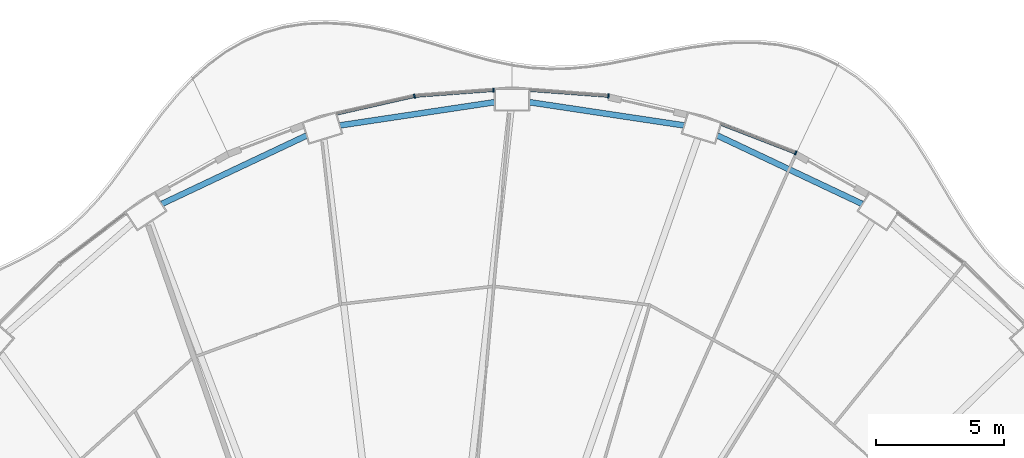
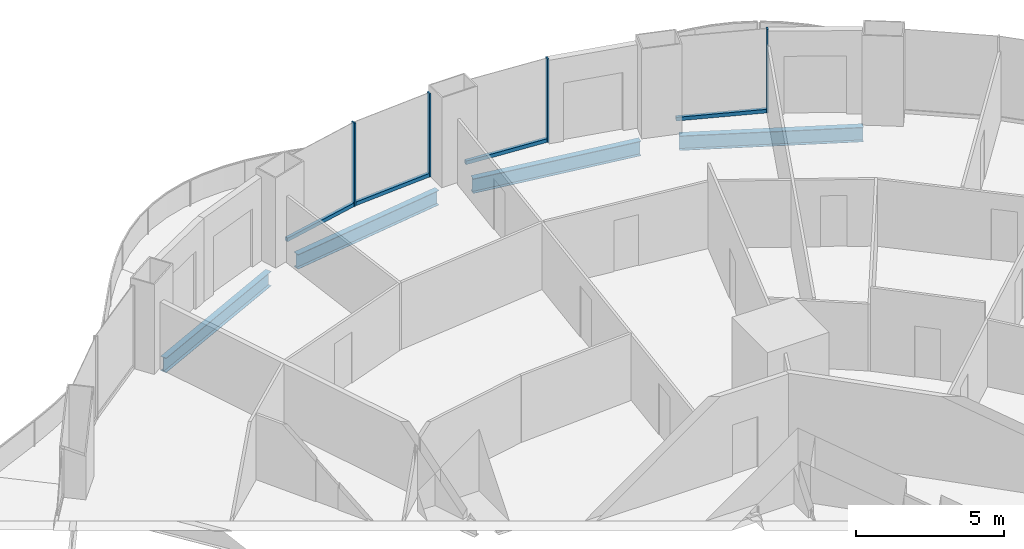
# One storey, part 11 of 23: 8 members, 4 beams, 4 elements without a shape of their own.
"""IFC4 building model written with IfcOpenShell, lengths in metres."""

from ifc_helpers import new_model, si_unit, direction, frame, origin, origin_2d, place, context, subcontext, project, spatial, rectangle, i_section, extrude, material, layer, layer_set, material_profile, profile_set, type_object, element, aggregate, save


model = new_model("IFC4")

# Units and contexts
model_context = context("Model", 3, precision=1e-05, world=origin(), true_north=direction((0.0, 1.0)))
body_context = subcontext(model_context, "Body", "Model", "MODEL_VIEW")
ifc_project = project(units=[si_unit("LENGTHUNIT", "METRE"), si_unit("AREAUNIT", "SQUARE_METRE"), si_unit("VOLUMEUNIT", "CUBIC_METRE"), si_unit("PLANEANGLEUNIT", "RADIAN"), si_unit("MASSUNIT", "GRAM", prefix="KILO")], contexts=[model_context])

# Site, building, storey
site_placement = place(None, origin())
site = spatial("IfcSite", under=ifc_project, at=site_placement, CompositionType="ELEMENT")
building_placement = place(site_placement, origin())
building = spatial("IfcBuilding", under=site, at=building_placement, Name="Nagisa Residences", CompositionType="ELEMENT")
storey_placement = place(building_placement, frame((0.0, 0.0, 56.60009765625)))
storey = spatial("IfcBuildingStorey", under=building, at=storey_placement, Name="L13", CompositionType="ELEMENT", Elevation=56.60009765625)

# Curtain wall, member
ifc_material_1 = material(Name="Concrete-coloured aluminium curtain wall system", Category="concrete")
ifc_layer = layer(ifc_material_1, 0.159912109375)
ifc_layer_set = layer_set([ifc_layer], Name="CW1 CURTAIN WALL")
curtain_wall_type = type_object("IfcCurtainWallType", Name="CW1 CURTAIN WALL", PredefinedType="NOTDEFINED", material=ifc_layer_set)
curtain_wall_1_placement = place(storey_placement, origin())
curtain_wall_1 = element("IfcCurtainWall", 1, at=curtain_wall_1_placement, inside=storey, type_object=curtain_wall_type, Name="cw:CW1:L13:09", PredefinedType="NOTDEFINED")
ifc_material_2 = material(Name="Concrete-coloured aluminium", Category="concrete")
ifc_material_profile_1 = material_profile(ifc_material_2, rectangle(XDim=0.159912109375, YDim=0.06005859375, at=origin_2d()), Name="CW1 MULLION 160x60")
ifc_profile_set_1 = profile_set([ifc_material_profile_1], Name="Concrete-coloured aluminium")
member_type_1 = type_object("IfcMemberType", Name="CW1 MULLION 160x60", PredefinedType="MULLION", material=ifc_profile_set_1)
member_1_placement = place(storey_placement, frame((14.64111328125, 30.42431640625, 0.0), z_axis=(0.0, 0.0, 1.0), x_axis=(-0.360327770268, -0.932825759707, 0.0)))
member_1 = element("IfcMember", 2, at=member_1_placement, type_object=member_type_1, Name="CW1 mullion", PredefinedType="MULLION", context=body_context, shape_type="SweptSolid", body=[
    extrude(rectangle(XDim=0.159912109375, YDim=0.06005859375, at=origin_2d()), origin(), (0.0, 0.0, 1.0), 3.43994140625),
])

curtain_wall_2_placement = place(storey_placement, origin())
curtain_wall_2 = element("IfcCurtainWall", 3, at=curtain_wall_2_placement, inside=storey, type_object=curtain_wall_type, Name="cw:CW1:L13:11", PredefinedType="NOTDEFINED")
member_2_placement = place(storey_placement, frame((7.349365234375, 32.64013671875, 0.0), z_axis=(0.0, 0.0, 1.0), x_axis=(-0.074377355493, -0.997230168512, 0.0)))
member_2 = element("IfcMember", 4, at=member_2_placement, type_object=member_type_1, Name="CW1 mullion", PredefinedType="MULLION", context=body_context, shape_type="SweptSolid", body=[
    extrude(rectangle(XDim=0.159912109375, YDim=0.06005859375, at=origin_2d()), origin(), (0.0, 0.0, 1.0), 3.43994140625),
])

curtain_wall_3_placement = place(storey_placement, origin())
curtain_wall_3 = element("IfcCurtainWall", 5, at=curtain_wall_3_placement, inside=storey, type_object=curtain_wall_type, Name="cw:CW1:L13:12", PredefinedType="NOTDEFINED")
member_3_placement = place(storey_placement, frame((2.8779296875, 32.865966796875, 0.0), z_axis=(0.0, 0.0, 1.0), x_axis=(0.074377355493, -0.997230168512, 0.0)))
member_3 = element("IfcMember", 6, at=member_3_placement, type_object=member_type_1, Name="CW1 mullion", PredefinedType="MULLION", context=body_context, shape_type="SweptSolid", body=[
    extrude(rectangle(XDim=0.159912109375, YDim=0.06005859375, at=origin_2d()), origin(), (0.0, 0.0, 1.0), 3.43994140625),
])

curtain_wall_4_placement = place(storey_placement, origin())
curtain_wall_4 = element("IfcCurtainWall", 7, at=curtain_wall_4_placement, inside=storey, type_object=curtain_wall_type, Name="cw:CW1:L13:13", PredefinedType="NOTDEFINED")
member_4_placement = place(storey_placement, frame((-0.19677734375, 32.633056640625, 0.0), z_axis=(0.0, 0.0, 1.0), x_axis=(0.2207639201, -0.975327274089, 0.0)))
member_4 = element("IfcMember", 8, at=member_4_placement, type_object=member_type_1, Name="CW1 mullion", PredefinedType="MULLION", context=body_context, shape_type="SweptSolid", body=[
    extrude(rectangle(XDim=0.159912109375, YDim=0.06005859375, at=origin_2d()), origin(), (0.0, 0.0, 1.0), 3.43994140625),
])

# Member
ifc_material_3 = material(Name="Concrete-coloured aluminium", Category="concrete")
ifc_material_profile_2 = material_profile(ifc_material_3, rectangle(XDim=0.1201171875, YDim=0.14990234375, at=origin_2d()), Name="CW1 TRANSOM 120x150")
ifc_profile_set_2 = profile_set([ifc_material_profile_2], Name="Concrete-coloured aluminium")
member_type_2 = type_object("IfcMemberType", Name="CW1 TRANSOM 120x150", PredefinedType="USERDEFINED", material=ifc_profile_set_2)
member_5_placement = place(storey_placement, frame((14.6689453125, 30.413330078125, 0.074951171875), z_axis=(-0.932825366452, 0.360328788337, 0.0), x_axis=(-0.360328788337, -0.932825366452, 0.0)))
member_5 = element("IfcMember", 9, at=member_5_placement, type_object=member_type_2, Name="CW1 transom", ObjectType="TRANSOM", PredefinedType="USERDEFINED", context=body_context, shape_type="SweptSolid", body=[
    extrude(rectangle(XDim=0.1201171875, YDim=0.14990234375, at=origin_2d()), origin(), (0.0, 0.0, 1.0), 3.150634765625),
])

aggregate(curtain_wall_1, [member_1, member_5])

member_6_placement = place(storey_placement, frame((7.37939453125, 32.637939453125, 0.074951171875), z_axis=(-0.997231270995, 0.07436257224, 0.0), x_axis=(-0.07436257224, -0.997231270995, 0.0)))
member_6 = element("IfcMember", 10, at=member_6_placement, type_object=member_type_2, Name="CW1 transom", ObjectType="TRANSOM", PredefinedType="USERDEFINED", context=body_context, shape_type="SweptSolid", body=[
    extrude(rectangle(XDim=0.1201171875, YDim=0.14990234375, at=origin_2d()), origin(), (0.0, 0.0, 1.0), 3.095947265625),
])

aggregate(curtain_wall_2, [member_2, member_6])

member_7_placement = place(storey_placement, frame((2.907958984375, 32.8681640625, 0.074951171875), z_axis=(-0.997230834878, -0.074368420505, 0.0), x_axis=(0.074368420505, -0.997230834878, 0.0)))
member_7 = element("IfcMember", 11, at=member_7_placement, type_object=member_type_2, Name="CW1 transom", ObjectType="TRANSOM", PredefinedType="USERDEFINED", context=body_context, shape_type="SweptSolid", body=[
    extrude(rectangle(XDim=0.1201171875, YDim=0.14990234375, at=origin_2d()), origin(), (0.0, 0.0, 1.0), 3.095703125),
])

aggregate(curtain_wall_3, [member_3, member_7])

member_8_placement = place(storey_placement, frame((-0.16748046875, 32.6396484375, 0.074951171875), z_axis=(-0.97533495413, -0.220729987208, 0.0), x_axis=(0.220729987208, -0.97533495413, 0.0)))
member_8 = element("IfcMember", 12, at=member_8_placement, type_object=member_type_2, Name="CW1 transom", ObjectType="TRANSOM", PredefinedType="USERDEFINED", context=body_context, shape_type="SweptSolid", body=[
    extrude(rectangle(XDim=0.1201171875, YDim=0.14990234375, at=origin_2d()), origin(), (0.0, 0.0, 1.0), 3.11474609375),
])

aggregate(curtain_wall_4, [member_4, member_8])

# Beams
ifc_material_4 = material(Name="Steel ASTM A572 Gr 50", Category="steel")
ifc_material_profile_3 = material_profile(ifc_material_4, i_section(OverallWidth=0.22802734375, OverallDepth=0.60302734375, WebThickness=0.010498046875, FlangeThickness=0.014892578125, at=origin_2d()), Name="W610x101")
ifc_profile_set_3 = profile_set([ifc_material_profile_3], Name="Steel ASTM A572 Gr 50")
beam_type = type_object("IfcBeamType", Name="Perimeter ring beam W610x101", PredefinedType="BEAM", material=ifc_profile_set_3)
beam_1_placement = place(storey_placement, frame((17.22900390625, 28.439208984375, -0.5615234375), z_axis=(-0.904215426643, 0.427076646774, 0.0), x_axis=(-0.427076646774, -0.904215426643, 0.0)))
element("IfcBeam", 13, at=beam_1_placement, inside=storey, type_object=beam_type, Name="beam:L13:pb05", PredefinedType="BEAM", context=body_context, shape_type="SweptSolid", body=[
    extrude(i_section(OverallWidth=0.22802734375, OverallDepth=0.60302734375, WebThickness=0.010498046875, FlangeThickness=0.014892578125, at=origin_2d()), origin(), (0.0, 0.0, 1.0), 6.2275390625),
])
for number, where, z_axis, x_axis, name in (
    (14, (10.29638671875, 31.49462890625, -0.5615234375), (-0.988914559467, 0.14848566959, 0.0), (-0.14848566959, -0.988914559467, 0.0), "beam:L13:pb06"),
    (15, (2.919677734375, 32.39794921875, -0.5615234375), (-0.988914559467, -0.14848566959, 0.0), (0.14848566959, -0.988914559467, 0.0), "beam:L13:pb07"),
):
    element("IfcBeam", number, at=place(storey_placement, frame(where, z_axis=z_axis, x_axis=x_axis)), inside=storey, type_object=beam_type, Name=name, PredefinedType="BEAM", context=body_context, shape_type="SweptSolid", body=[
        extrude(i_section(OverallWidth=0.22802734375, OverallDepth=0.60302734375, WebThickness=0.010498046875, FlangeThickness=0.014892578125, at=origin_2d()), origin(), (0.0, 0.0, 1.0), 6.08349609375),
    ])
beam_2_placement = place(storey_placement, frame((-4.39794921875, 31.098876953125, -0.5615234375), z_axis=(-0.904208275867, -0.427091786216, 0.0), x_axis=(0.427091786216, -0.904208275867, 0.0)))
element("IfcBeam", 16, at=beam_2_placement, inside=storey, type_object=beam_type, Name="beam:L13:pb08", PredefinedType="BEAM", context=body_context, shape_type="SweptSolid", body=[
    extrude(i_section(OverallWidth=0.22802734375, OverallDepth=0.60302734375, WebThickness=0.010498046875, FlangeThickness=0.014892578125, at=origin_2d()), origin(), (0.0, 0.0, 1.0), 6.227294921875),
])

save(model, "model.ifc")
